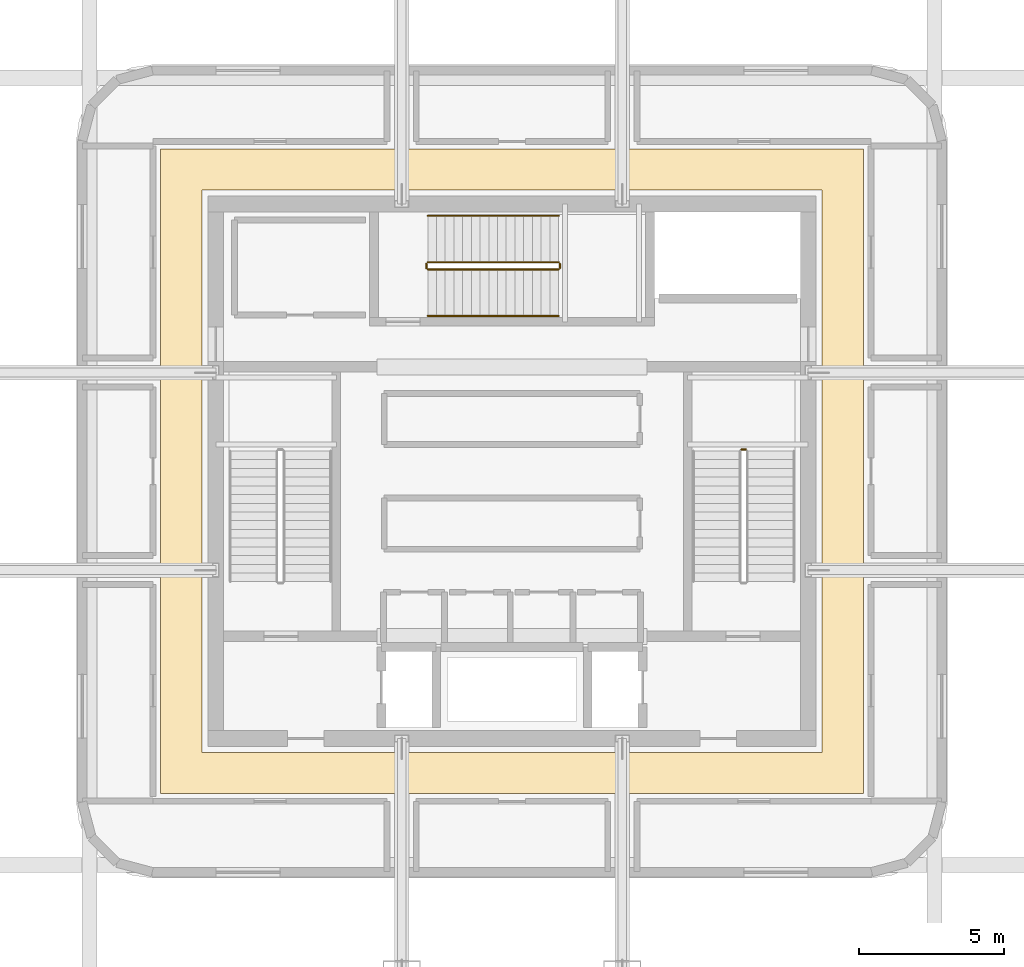
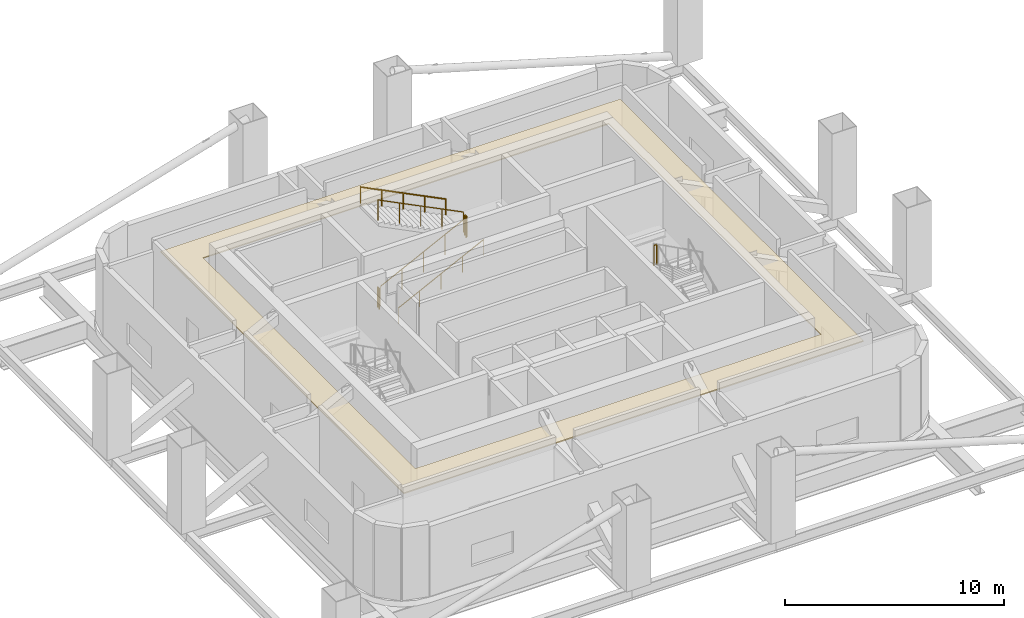
# One storey, part 8 of 8: 7 railings, 1 covering.
"""IFC4 building model written with IfcOpenShell, lengths in metres."""

from ifc_helpers import new_model, si_unit, direction, frame, origin, origin_2d, place, context, subcontext, project, spatial, polyline, circle, outline, extrude, material, layer, layer_set, type_object, element, save


model = new_model("IFC4")

# Units and contexts
model_context = context("Model", 3, precision=1e-05, world=origin(), true_north=direction((0.0, 1.0)))
body_context = subcontext(model_context, "Body", "Model", "MODEL_VIEW")
ifc_project = project(units=[si_unit("LENGTHUNIT", "METRE"), si_unit("AREAUNIT", "SQUARE_METRE"), si_unit("VOLUMEUNIT", "CUBIC_METRE"), si_unit("PLANEANGLEUNIT", "RADIAN"), si_unit("MASSUNIT", "GRAM", prefix="KILO")], contexts=[model_context])

# Site, building, storey
site_placement = place(None, origin())
site = spatial("IfcSite", under=ifc_project, at=site_placement, CompositionType="ELEMENT")
building_placement = place(site_placement, origin())
building = spatial("IfcBuilding", under=site, at=building_placement, Name="Punatoya Terracotta Tower", CompositionType="ELEMENT")
storey_placement = place(building_placement, frame((0.0, 0.0, 241.800048828125)))
storey = spatial("IfcBuildingStorey", under=building, at=storey_placement, Name="L57", CompositionType="ELEMENT", Elevation=241.800048828125)

# Covering
ifc_material_1 = material(Name="Acoustic Mineral Fibre Ceiling")
ifc_layer = layer(ifc_material_1, 0.06005859375)
ifc_layer_set = layer_set([ifc_layer], Name="Acoustic Mineral Fibre Ceiling")
covering_type = type_object("IfcCoveringType", Name="COV-CEIL-60", PredefinedType="CEILING", material=ifc_layer_set)
covering_placement = place(storey_placement, frame((0.0, 0.0, 3.869873046875)))
element("IfcCovering", 1, at=covering_placement, inside=storey, type_object=covering_type, Name="L57 Plant and Pressurized Refuge Ring Corridor Acoustic Ceiling", PredefinedType="CEILING", context=body_context, shape_type="SweptSolid", body=[
    extrude(outline(polyline([(-12.10009765625, 11.10009765625), (-12.10009765625, -11.10009765625), (12.10009765625, -11.10009765625), (12.10009765625, 11.10009765625), (-12.10009765625, 11.10009765625)]), holes=[polyline([(-10.679931640625, 9.679931640625), (10.679931640625, 9.679931640625), (10.679931640625, -9.679931640625), (-10.679931640625, -9.679931640625), (-10.679931640625, 9.679931640625)])]), origin(), (0.0, 0.0, 1.0), 0.06005859375),
])

# Railings
ifc_material_2 = material(Name="Steel S355", Category="steel")
railing_type_1 = type_object("IfcRailingType", Name="RLG-GRD-1150", PredefinedType="GUARDRAIL", material=ifc_material_2)
railing_1_placement = place(storey_placement, frame((8.050048828125, 0.75, 2.39990234375)))
element("IfcRailing", 2, at=railing_1_placement, inside=storey, type_object=railing_type_1, Name="L57 ST-2 stair guard 2", PredefinedType="GUARDRAIL", context=body_context, shape_type="SweptSolid", body=[
    extrude(circle(Radius=0.02392578125, at=origin_2d()), frame((0.0, 0.0, 1.1259765625), z_axis=(-1.0, 0.0, 0.0), x_axis=(0.0, -1.0, 0.0)), (0.0, 0.0, 1.0), 0.150146484375),
    extrude(circle(Radius=0.02099609375, at=origin_2d()), origin(), (0.0, 0.0, 1.0), 1.101806640625),
    extrude(circle(Radius=0.02099609375, at=origin_2d()), frame((-0.150146484375, 0.0, 0.0)), (0.0, 0.0, 1.0), 1.101806640625),
])
railing_2_placement = place(storey_placement, frame((-2.89990234375, 6.949951171875, 0.14990234375)))
element("IfcRailing", 3, at=railing_2_placement, inside=storey, type_object=railing_type_1, Name="L57 ST-3 stair guard 1", PredefinedType="GUARDRAIL", context=body_context, shape_type="SweptSolid", body=[
    extrude(circle(Radius=0.02392578125, at=origin_2d()), frame((0.0, 0.0, 1.1259765625), z_axis=(0.894427191, 0.0, 0.4472135955), x_axis=(0.0, 1.0, 0.0)), (0.0, 0.0, 1.0), 5.03125),
    extrude(circle(Radius=0.02099609375, at=origin_2d()), origin(), (0.0, 0.0, 1.0), 1.101806640625),
    extrude(circle(Radius=0.02099609375, at=origin_2d()), frame((1.125, 0.0, 0.5625)), (0.0, 0.0, 1.0), 1.101806640625),
    extrude(circle(Radius=0.02099609375, at=origin_2d()), frame((2.25, 0.0, 1.125)), (0.0, 0.0, 1.0), 1.101806640625),
    extrude(circle(Radius=0.02099609375, at=origin_2d()), frame((3.375, 0.0, 1.6875)), (0.0, 0.0, 1.0), 1.101806640625),
    extrude(circle(Radius=0.02099609375, at=origin_2d()), frame((4.5, 0.0, 2.25)), (0.0, 0.0, 1.0), 1.101806640625),
])
railing_3_placement = place(storey_placement, frame((1.64990234375, 7.0, 2.39990234375)))
element("IfcRailing", 4, at=railing_3_placement, inside=storey, type_object=railing_type_1, Name="L57 ST-3 stair guard 2", PredefinedType="GUARDRAIL", context=body_context, shape_type="SweptSolid", body=[
    extrude(circle(Radius=0.02392578125, at=origin_2d()), frame((0.0, 0.0, 1.1259765625), z_axis=(0.0, 1.0, 0.0), x_axis=(-1.0, 0.0, 0.0)), (0.0, 0.0, 1.0), 0.14990234375),
    extrude(circle(Radius=0.02099609375, at=origin_2d()), origin(), (0.0, 0.0, 1.0), 1.101806640625),
    extrude(circle(Radius=0.02099609375, at=origin_2d()), frame((0.0, 0.14990234375, 0.0)), (0.0, 0.0, 1.0), 1.101806640625),
])
railing_4_placement = place(storey_placement, frame((1.60009765625, 7.199951171875, 2.550048828125)))
element("IfcRailing", 5, at=railing_4_placement, inside=storey, type_object=railing_type_1, Name="L57 ST-3 stair guard 3", PredefinedType="GUARDRAIL", context=body_context, shape_type="SweptSolid", body=[
    extrude(circle(Radius=0.02392578125, at=origin_2d()), frame((0.0, 0.0, 1.1259765625), z_axis=(-0.894427191, 0.0, 0.4472135955), x_axis=(0.0, -1.0, 0.0)), (0.0, 0.0, 1.0), 5.03125),
    extrude(circle(Radius=0.02099609375, at=origin_2d()), origin(), (0.0, 0.0, 1.0), 1.101806640625),
    extrude(circle(Radius=0.02099609375, at=origin_2d()), frame((-1.125, 0.0, 0.5625)), (0.0, 0.0, 1.0), 1.101806640625),
    extrude(circle(Radius=0.02099609375, at=origin_2d()), frame((-2.25, 0.0, 1.125)), (0.0, 0.0, 1.0), 1.101806640625),
    extrude(circle(Radius=0.02099609375, at=origin_2d()), frame((-3.375, 0.0, 1.6875)), (0.0, 0.0, 1.0), 1.101806640625),
    extrude(circle(Radius=0.02099609375, at=origin_2d()), frame((-4.5, 0.0, 2.25)), (0.0, 0.0, 1.0), 1.101806640625),
])
railing_5_placement = place(storey_placement, frame((-2.949951171875, 7.0, 0.0)))
element("IfcRailing", 6, at=railing_5_placement, inside=storey, type_object=railing_type_1, Name="L57 ST-3 stair guard 4", PredefinedType="GUARDRAIL", context=body_context, shape_type="SweptSolid", body=[
    extrude(circle(Radius=0.02392578125, at=origin_2d()), frame((0.0, 0.0, 1.1259765625), z_axis=(0.0, 1.0, 0.0), x_axis=(-1.0, 0.0, 0.0)), (0.0, 0.0, 1.0), 0.14990234375),
    extrude(circle(Radius=0.02099609375, at=origin_2d()), origin(), (0.0, 0.0, 1.0), 1.101806640625),
    extrude(circle(Radius=0.02099609375, at=origin_2d()), frame((0.0, 0.14990234375, 0.0)), (0.0, 0.0, 1.0), 1.101806640625),
])
railing_type_2 = type_object("IfcRailingType", Name="RLG-HND-900", PredefinedType="HANDRAIL", material=ifc_material_2)
railing_6_placement = place(storey_placement, frame((-2.89990234375, 5.35009765625, 0.14990234375)))
element("IfcRailing", 7, at=railing_6_placement, inside=storey, type_object=railing_type_2, Name="L57 ST-3 stair handrail 1", PredefinedType="HANDRAIL", context=body_context, shape_type="SweptSolid", body=[
    extrude(circle(Radius=0.02392578125, at=origin_2d()), frame((0.0, 0.0, 0.8759765625), z_axis=(0.894427191, 0.0, 0.4472135955), x_axis=(0.0, 1.0, 0.0)), (0.0, 0.0, 1.0), 5.03125),
    extrude(circle(Radius=0.02099609375, at=origin_2d()), origin(), (0.0, 0.0, 1.0), 0.851806640625),
    extrude(circle(Radius=0.02099609375, at=origin_2d()), frame((1.125, 0.0, 0.5625)), (0.0, 0.0, 1.0), 0.851806640625),
    extrude(circle(Radius=0.02099609375, at=origin_2d()), frame((2.25, 0.0, 1.125)), (0.0, 0.0, 1.0), 0.851806640625),
    extrude(circle(Radius=0.02099609375, at=origin_2d()), frame((3.375, 0.0, 1.6875)), (0.0, 0.0, 1.0), 0.851806640625),
    extrude(circle(Radius=0.02099609375, at=origin_2d()), frame((4.5, 0.0, 2.25)), (0.0, 0.0, 1.0), 0.851806640625),
])
railing_7_placement = place(storey_placement, frame((1.60009765625, 8.800048828125, 2.550048828125)))
element("IfcRailing", 8, at=railing_7_placement, inside=storey, type_object=railing_type_2, Name="L57 ST-3 stair handrail 2", PredefinedType="HANDRAIL", context=body_context, shape_type="SweptSolid", body=[
    extrude(circle(Radius=0.02392578125, at=origin_2d()), frame((0.0, 0.0, 0.8759765625), z_axis=(-0.894427191, 0.0, 0.4472135955), x_axis=(0.0, -1.0, 0.0)), (0.0, 0.0, 1.0), 5.03125),
    extrude(circle(Radius=0.02099609375, at=origin_2d()), origin(), (0.0, 0.0, 1.0), 0.851806640625),
    extrude(circle(Radius=0.02099609375, at=origin_2d()), frame((-1.125, 0.0, 0.5625)), (0.0, 0.0, 1.0), 0.851806640625),
    extrude(circle(Radius=0.02099609375, at=origin_2d()), frame((-2.25, 0.0, 1.125)), (0.0, 0.0, 1.0), 0.851806640625),
    extrude(circle(Radius=0.02099609375, at=origin_2d()), frame((-3.375, 0.0, 1.6875)), (0.0, 0.0, 1.0), 0.851806640625),
    extrude(circle(Radius=0.02099609375, at=origin_2d()), frame((-4.5, 0.0, 2.25)), (0.0, 0.0, 1.0), 0.851806640625),
])

save(model, "model.ifc")
